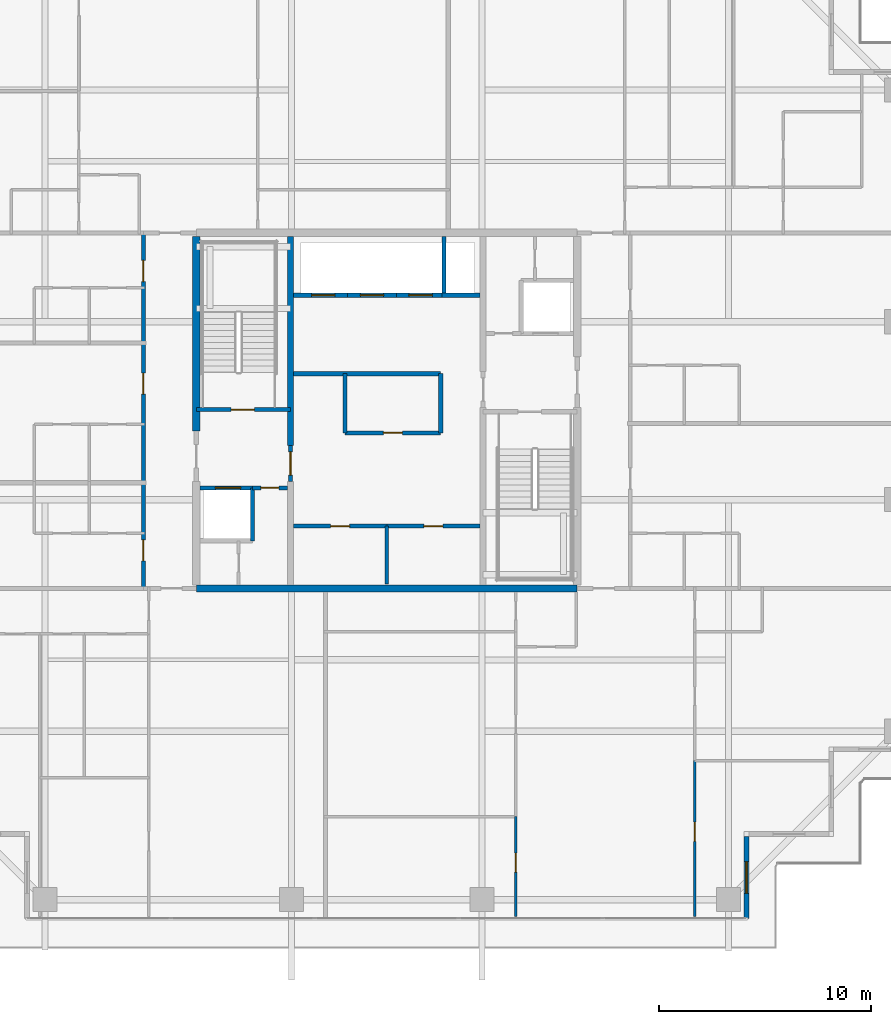
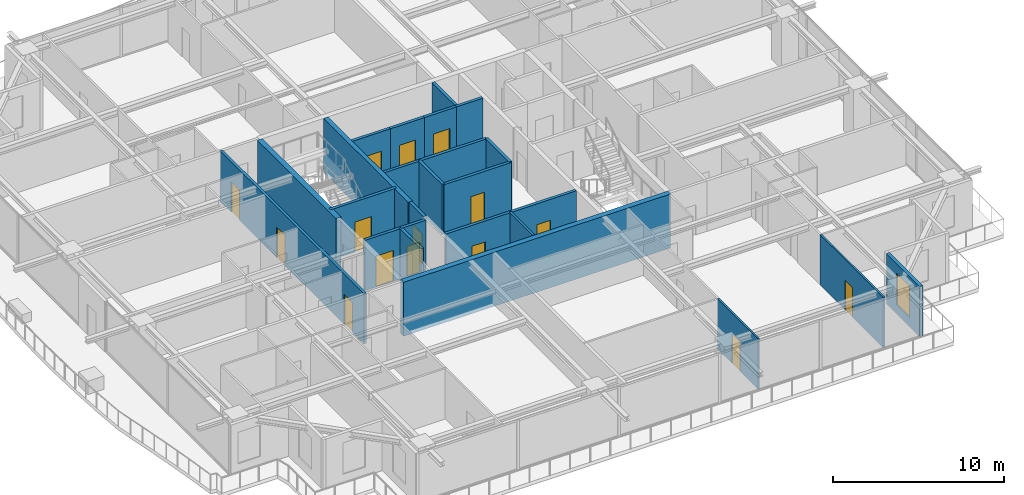
# One storey, part 28 of 38: 24 walls, 15 doors, 1 window, 16 openings.
"""IFC4 building model written with IfcOpenShell, lengths in metres."""

from ifc_helpers import new_model, si_unit, direction, frame, frame_2d, origin, place, context, subcontext, project, spatial, rectangle, extrude, source, transform, mapped, material, layer, layer_set, type_object, element, fill, save


model = new_model("IFC4")

# Units and contexts
model_context = context("Model", 3, precision=1e-05, world=origin(), true_north=direction((0.0, 1.0)))
body_context = subcontext(model_context, "Body", "Model", "MODEL_VIEW")
ifc_project = project(units=[si_unit("LENGTHUNIT", "METRE"), si_unit("AREAUNIT", "SQUARE_METRE"), si_unit("VOLUMEUNIT", "CUBIC_METRE"), si_unit("PLANEANGLEUNIT", "RADIAN"), si_unit("MASSUNIT", "GRAM", prefix="KILO")], contexts=[model_context])

# Site, building, storey
site_placement = place(None, origin())
site = spatial("IfcSite", under=ifc_project, at=site_placement, CompositionType="ELEMENT")
building_placement = place(site_placement, origin())
building = spatial("IfcBuilding", under=site, at=building_placement, Name="Serunith Strait Residences", CompositionType="ELEMENT")
storey_placement = place(building_placement, frame((0.0, 0.0, 237.39990234375)))
storey = spatial("IfcBuildingStorey", under=building, at=storey_placement, Name="L59", CompositionType="ELEMENT", Elevation=237.39990234375)

# Wall, opening, window
ifc_material_1 = material(Name="Pale-Champagne Aluminium Insulated Panel", Category="aluminium")
ifc_layer_1 = layer(ifc_material_1, 0.219970703125, Name="Pale-Champagne Aluminium Insulated Panel")
ifc_layer_set_1 = layer_set([ifc_layer_1], Name="Pale-Champagne Aluminium Insulated Panel")
wall_type_1 = type_object("IfcWallType", Name="EW-ALUM-220", PredefinedType="ELEMENTEDWALL", material=ifc_layer_set_1)
wall_1_placement = place(storey_placement, frame((49.39990234375, 1.199951171875, 0.0), z_axis=(0.0, 0.0, 1.0), x_axis=(0.0, 1.0, 0.0)))
wall_1 = element("IfcWall", 1, at=wall_1_placement, inside=storey, type_object=wall_type_1, Name="L59 Girih Serrated Corner Wall 02", PredefinedType="ELEMENTEDWALL", context=body_context, shape_type="SweptSolid", body=[
    extrude(rectangle(XDim=3.89013671875, YDim=0.219970703125, at=frame_2d((1.945068359375, 0.0))), origin(), (0.0, 0.0, 1.0), 3.5751953125),
])
opening_1_placement = place(wall_1_placement, frame((1.195068359375, 0.0, 0.64990234375)))
opening_1 = element("IfcOpeningElement", 2, at=opening_1_placement, cuts=wall_1, Name="Opening W-05", PredefinedType="OPENING", context=body_context, shape_type="SweptSolid", body=[
    extrude(rectangle(XDim=1.5, YDim=2.25, at=frame_2d((0.75, 1.125))), frame((0.0, 0.1201171875, 0.0), z_axis=(0.0, -1.0, 0.0), x_axis=(1.0, 0.0, 0.0)), (0.0, 0.0, 1.0), 0.239990234375),
])
ifc_material_2 = material(Name="Ceramic-Fritted Operable Aluminium Window Glass", Category="aluminium")
window_type = type_object("IfcWindowType", Name="WIN-C5", PartitioningType="DOUBLE_PANEL_VERTICAL", PredefinedType="WINDOW", material=ifc_material_2)
shared_shape_1 = source(origin(), body_context, "Body", "SweptSolid", [
    extrude(rectangle(XDim=1.5, YDim=2.25, at=frame_2d((0.75, 1.125))), frame((0.0, 0.030029296875, 0.0), z_axis=(0.0, -1.0, 0.0), x_axis=(1.0, 0.0, 0.0)), (0.0, 0.0, 1.0), 0.06005859375),
])
window_placement = place(opening_1_placement, origin())
window = element("IfcWindow", 3, at=window_placement, inside=storey, type_object=window_type, Name="L59 Corner Operable Fritted Window 02", OverallHeight=2.25, OverallWidth=1.5, PartitioningType="SINGLE_PANEL", PredefinedType="WINDOW", context=body_context, shape_type="MappedRepresentation", body=[
    mapped(shared_shape_1, transform((0.0, 0.0, 0.0), scale=1.0)),
])
fill(opening_1, window)

# Wall
ifc_material_3 = material(Name="Fire-rated masonry service closet wall", Category="masonry")
ifc_layer_2 = layer(ifc_material_3, 0.14990234375, Name="Fire-rated masonry service closet wall")
ifc_layer_set_2 = layer_set([ifc_layer_2], Name="Fire-rated masonry service closet wall")
wall_type_2 = type_object("IfcWallType", Name="IW-BOH-150", PredefinedType="PARTITIONING", material=ifc_layer_set_2)
wall_2_placement = place(storey_placement, frame((32.39990234375, 17.02001953125, 0.0), z_axis=(0.0, 0.0, 1.0), x_axis=(0.0, 1.0, 0.0)))
element("IfcWall", 4, at=wall_2_placement, inside=storey, type_object=wall_type_2, Name="L59 Partition Wall 015", PredefinedType="PARTITIONING", context=body_context, shape_type="SweptSolid", body=[
    extrude(rectangle(XDim=2.72998046875, YDim=0.14990234375, at=frame_2d((1.364990234375, 0.0))), origin(), (0.0, 0.0, 1.0), 3.590087890625),
])

# Wall, openings, doors
ifc_material_4 = material(Name="Fire-rated acoustic gypsum partition")
ifc_layer_3 = layer(ifc_material_4, 0.179931640625, Name="Fire-rated acoustic gypsum partition")
ifc_layer_set_3 = layer_set([ifc_layer_3], Name="Fire-rated acoustic gypsum partition")
wall_type_3 = type_object("IfcWallType", Name="IW-CORR-180", PredefinedType="PARTITIONING", material=ifc_layer_set_3)
wall_3_placement = place(storey_placement, frame((20.89990234375, 16.800048828125, 0.0), z_axis=(0.0, 0.0, 1.0), x_axis=(0.0, 1.0, 0.0)))
wall_3 = element("IfcWall", 5, at=wall_3_placement, inside=storey, type_object=wall_type_3, Name="L59 Partition Wall 031", PredefinedType="PARTITIONING", context=body_context, shape_type="SweptSolid", body=[
    extrude(rectangle(XDim=16.800048828125, YDim=0.179931640625, at=frame_2d((8.39990234375, 0.0))), origin(), (0.0, 0.0, 1.0), 3.590087890625),
])
opening_2_placement = place(wall_3_placement, frame((1.300048828125, 0.0, 0.0)))
opening_2 = element("IfcOpeningElement", 6, at=opening_2_placement, cuts=wall_3, Name="Opening D-APT1000", PredefinedType="OPENING", context=body_context, shape_type="SweptSolid", body=[
    extrude(rectangle(XDim=1.0, YDim=2.14990234375, at=frame_2d((0.5, 1.074951171875))), frame((0.0, 0.10009765625, 0.0), z_axis=(0.0, -1.0, 0.0), x_axis=(1.0, 0.0, 0.0)), (0.0, 0.0, 1.0), 0.199951171875),
])
opening_3_placement = place(wall_3_placement, frame((9.179931640625, 0.0, 0.0)))
opening_3 = element("IfcOpeningElement", 7, at=opening_3_placement, cuts=wall_3, Name="Opening D-APT1000", PredefinedType="OPENING", context=body_context, shape_type="SweptSolid", body=[
    extrude(rectangle(XDim=1.0, YDim=2.14990234375, at=frame_2d((0.5, 1.074951171875))), frame((0.0, 0.10009765625, 0.0), z_axis=(0.0, -1.0, 0.0), x_axis=(1.0, 0.0, 0.0)), (0.0, 0.0, 1.0), 0.199951171875),
])
opening_4_placement = place(wall_3_placement, frame((14.5, 0.0, 0.0)))
opening_4 = element("IfcOpeningElement", 8, at=opening_4_placement, cuts=wall_3, Name="Opening D-APT1000", PredefinedType="OPENING", context=body_context, shape_type="SweptSolid", body=[
    extrude(rectangle(XDim=1.0, YDim=2.14990234375, at=frame_2d((0.5, 1.074951171875))), frame((0.0, 0.10009765625, 0.0), z_axis=(0.0, -1.0, 0.0), x_axis=(1.0, 0.0, 0.0)), (0.0, 0.0, 1.0), 0.199951171875),
])
ifc_material_5 = material(Name="Solid timber engineered fire door", Category="wood")
door_type_1 = type_object("IfcDoorType", Name="ID-APT-1000", OperationType="NOTDEFINED", PredefinedType="DOOR", material=ifc_material_5)
shared_shape_2 = source(origin(), body_context, "Body", "SweptSolid", [
    extrude(rectangle(XDim=1.0, YDim=2.14990234375, at=frame_2d((0.5, 1.074951171875))), frame((0.0, 0.02490234375, 0.0), z_axis=(0.0, -1.0, 0.0), x_axis=(1.0, 0.0, 0.0)), (0.0, 0.0, 1.0), 0.050048828125),
])
door_1_placement = place(opening_2_placement, origin())
door_1 = element("IfcDoor", 9, at=door_1_placement, inside=storey, type_object=door_type_1, Name="L59 Unit 05 Entrance Door", OperationType="SINGLE_SWING_RIGHT", OverallHeight=2.14990234375, OverallWidth=1.0, PredefinedType="DOOR", context=body_context, shape_type="MappedRepresentation", body=[
    mapped(shared_shape_2, transform((0.0, 0.0, 0.0), scale=1.0)),
])
fill(opening_2, door_1)
door_2_placement = place(opening_3_placement, origin())
door_2 = element("IfcDoor", 10, at=door_2_placement, inside=storey, type_object=door_type_1, Name="L59 Unit 06 Entrance Door", OperationType="SINGLE_SWING_LEFT", OverallHeight=2.14990234375, OverallWidth=1.0, PredefinedType="DOOR", context=body_context, shape_type="MappedRepresentation", body=[
    mapped(shared_shape_2, transform((0.0, 0.0, 0.0), scale=1.0)),
])
fill(opening_3, door_2)
door_3_placement = place(opening_4_placement, origin())
door_3 = element("IfcDoor", 11, at=door_3_placement, inside=storey, type_object=door_type_1, Name="L59 Unit 07 Entrance Door", OperationType="SINGLE_SWING_RIGHT", OverallHeight=2.14990234375, OverallWidth=1.0, PredefinedType="DOOR", context=body_context, shape_type="MappedRepresentation", body=[
    mapped(shared_shape_2, transform((0.0, 0.0, 0.0), scale=1.0)),
])
fill(opening_4, door_3)

# Wall, opening, door
ifc_material_6 = material(Name="Lightweight steel-stud gypsum partition", Category="steel")
ifc_layer_4 = layer(ifc_material_6, 0.1201171875, Name="Lightweight steel-stud gypsum partition")
ifc_layer_set_4 = layer_set([ifc_layer_4], Name="Lightweight steel-stud gypsum partition")
wall_type_4 = type_object("IfcWallType", Name="IW-PART-120", PredefinedType="PARTITIONING", material=ifc_layer_set_4)
wall_4_placement = place(storey_placement, frame((38.5, 1.294921875, 0.0), z_axis=(0.0, 0.0, 1.0), x_axis=(0.0, 1.0, 0.0)))
wall_4 = element("IfcWall", 12, at=wall_4_placement, inside=storey, type_object=wall_type_4, Name="L59 Partition Wall 051", PredefinedType="PARTITIONING", context=body_context, shape_type="SweptSolid", body=[
    extrude(rectangle(XDim=4.72705078125, YDim=0.1201171875, at=frame_2d((2.363525390625, 0.0))), origin(), (0.0, 0.0, 1.0), 3.590087890625),
])
opening_5_placement = place(wall_4_placement, frame((2.10498046875, 0.0, 0.0)))
opening_5 = element("IfcOpeningElement", 13, at=opening_5_placement, cuts=wall_4, Name="Opening D-RM900", PredefinedType="OPENING", context=body_context, shape_type="SweptSolid", body=[
    extrude(rectangle(XDim=0.89990234375, YDim=2.10009765625, at=frame_2d((0.449951171875, 1.050048828125))), frame((0.0, 0.070068359375, 0.0), z_axis=(0.0, -1.0, 0.0), x_axis=(1.0, 0.0, 0.0)), (0.0, 0.0, 1.0), 0.14013671875),
])
ifc_material_7 = material(Name="Engineered timber flush bedroom door", Category="wood")
door_type_2 = type_object("IfcDoorType", Name="ID-ROOM-900", OperationType="NOTDEFINED", PredefinedType="DOOR", material=ifc_material_7)
shared_shape_3 = source(origin(), body_context, "Body", "SweptSolid", [
    extrude(rectangle(XDim=0.89990234375, YDim=2.10009765625, at=frame_2d((0.449951171875, 1.050048828125))), frame((0.0, 0.02490234375, 0.0), z_axis=(0.0, -1.0, 0.0), x_axis=(1.0, 0.0, 0.0)), (0.0, 0.0, 1.0), 0.050048828125),
])
door_4_placement = place(opening_5_placement, origin())
door_4 = element("IfcDoor", 14, at=door_4_placement, inside=storey, type_object=door_type_2, Name="L59 Master Bedroom 1 5902 Door", OperationType="SINGLE_SWING_LEFT", OverallHeight=2.10009765625, OverallWidth=0.89990234375, PredefinedType="DOOR", context=body_context, shape_type="MappedRepresentation", body=[
    mapped(shared_shape_3, transform((0.0, 0.0, 0.0), scale=1.0)),
])
fill(opening_5, door_4)

wall_5_placement = place(storey_placement, frame((46.949951171875, 1.294921875, 0.0), z_axis=(0.0, 0.0, 1.0), x_axis=(0.0, 1.0, 0.0)))
wall_5 = element("IfcWall", 15, at=wall_5_placement, inside=storey, type_object=wall_type_4, Name="L59 Partition Wall 056", PredefinedType="PARTITIONING", context=body_context, shape_type="SweptSolid", body=[
    extrude(rectangle(XDim=7.373046875, YDim=0.1201171875, at=frame_2d((3.6865234375, 0.0))), origin(), (0.0, 0.0, 1.0), 3.590087890625),
])
opening_6_placement = place(wall_5_placement, frame((3.56005859375, 0.0, 0.0)))
opening_6 = element("IfcOpeningElement", 16, at=opening_6_placement, cuts=wall_5, Name="Opening D-RM900", PredefinedType="OPENING", context=body_context, shape_type="SweptSolid", body=[
    extrude(rectangle(XDim=0.89990234375, YDim=2.10009765625, at=frame_2d((0.449951171875, 1.050048828125))), frame((0.0, 0.070068359375, 0.0), z_axis=(0.0, -1.0, 0.0), x_axis=(1.0, 0.0, 0.0)), (0.0, 0.0, 1.0), 0.14013671875),
])
door_5_placement = place(opening_6_placement, origin())
door_5 = element("IfcDoor", 17, at=door_5_placement, inside=storey, type_object=door_type_2, Name="L59 Bedroom 2 5902 Door", OperationType="SINGLE_SWING_RIGHT", OverallHeight=2.10009765625, OverallWidth=0.89990234375, PredefinedType="DOOR", context=body_context, shape_type="MappedRepresentation", body=[
    mapped(shared_shape_3, transform((0.0, 0.0, 0.0), scale=1.0)),
])
fill(opening_6, door_5)

ifc_material_8 = material(Name="Autoclaved aerated concrete blockwork", Category="masonry")
ifc_layer_5 = layer(ifc_material_8, 0.199951171875, Name="Autoclaved aerated concrete blockwork")
ifc_layer_set_5 = layer_set([ifc_layer_5], Name="Autoclaved aerated concrete blockwork")
wall_type_5 = type_object("IfcWallType", Name="IW-SHAFT-200", PredefinedType="STANDARD", material=ifc_layer_set_5)
wall_6_placement = place(storey_placement, frame((23.39990234375, 25.25, 0.0), z_axis=(0.0, 0.0, 1.0), x_axis=(1.0, 0.0, 0.0)))
wall_6 = element("IfcWall", 18, at=wall_6_placement, inside=storey, type_object=wall_type_5, Name="L59 ST-1 South Shaft Wall", PredefinedType="STANDARD", context=body_context, shape_type="SweptSolid", body=[
    extrude(rectangle(XDim=4.4501953125, YDim=0.199951171875, at=frame_2d((2.22509765625, 0.0))), origin(), (0.0, 0.0, 1.0), 3.590087890625),
])
opening_7_placement = place(wall_6_placement, frame((1.64990234375, 0.0, 0.0)))
opening_7 = element("IfcOpeningElement", 19, at=opening_7_placement, cuts=wall_6, Name="Opening FD-1100", PredefinedType="OPENING", context=body_context, shape_type="SweptSolid", body=[
    extrude(rectangle(XDim=1.10009765625, YDim=2.14990234375, at=frame_2d((0.550048828125, 1.074951171875))), frame((0.0, 0.10986328125, 0.0), z_axis=(0.0, -1.0, 0.0), x_axis=(1.0, 0.0, 0.0)), (0.0, 0.0, 1.0), 0.219970703125),
])
ifc_material_9 = material(Name="Galvanised steel fire door leaf", Category="steel")
door_type_3 = type_object("IfcDoorType", Name="FD-STAIR-1100", OperationType="NOTDEFINED", PredefinedType="DOOR", material=ifc_material_9)
shared_shape_4 = source(origin(), body_context, "Body", "SweptSolid", [
    extrude(rectangle(XDim=1.10009765625, YDim=2.14990234375, at=frame_2d((0.550048828125, 1.074951171875))), frame((0.0, 0.02490234375, 0.0), z_axis=(0.0, -1.0, 0.0), x_axis=(1.0, 0.0, 0.0)), (0.0, 0.0, 1.0), 0.050048828125),
])
door_6_placement = place(opening_7_placement, origin())
door_6 = element("IfcDoor", 20, at=door_6_placement, inside=storey, type_object=door_type_3, Name="L59 ST-1 Escape Stair Door", OperationType="SINGLE_SWING_LEFT", OverallHeight=2.14990234375, OverallWidth=1.10009765625, PredefinedType="DOOR", context=body_context, shape_type="MappedRepresentation", body=[
    mapped(shared_shape_4, transform((0.0, 0.0, 0.0), scale=1.0)),
])
fill(opening_7, door_6)

wall_7_placement = place(storey_placement, frame((23.574951171875, 21.550048828125, 0.0), z_axis=(0.0, 0.0, 1.0), x_axis=(1.0, 0.0, 0.0)))
wall_7 = element("IfcWall", 21, at=wall_7_placement, inside=storey, type_object=wall_type_5, Name="L59 FL-1 North Shaft Wall", PredefinedType="STANDARD", context=body_context, shape_type="SweptSolid", body=[
    extrude(rectangle(XDim=2.47509765625, YDim=0.199951171875, at=frame_2d((1.237548828125, 0.0))), origin(), (0.0, 0.0, 1.0), 3.590087890625),
])
opening_8_placement = place(wall_7_placement, frame((0.72509765625, 0.0, 0.0)))
opening_8 = element("IfcOpeningElement", 22, at=opening_8_placement, cuts=wall_7, Name="Opening LD-FF1200", PredefinedType="OPENING", context=body_context, shape_type="SweptSolid", body=[
    extrude(rectangle(XDim=1.199951171875, YDim=2.199951171875, at=frame_2d((0.60009765625, 1.10009765625))), frame((0.0, 0.10986328125, 0.0), z_axis=(0.0, -1.0, 0.0), x_axis=(1.0, 0.0, 0.0)), (0.0, 0.0, 1.0), 0.219970703125),
])
ifc_material_10 = material(Name="Brushed stainless steel landing door", Category="steel")
door_type_4 = type_object("IfcDoorType", Name="LD-FF-1200", OperationType="DOUBLE_DOOR_SLIDING", PredefinedType="DOOR", material=ifc_material_10)
shared_shape_5 = source(origin(), body_context, "Body", "SweptSolid", [
    extrude(rectangle(XDim=1.199951171875, YDim=2.199951171875, at=frame_2d((0.60009765625, 1.10009765625))), frame((0.0, 0.02490234375, 0.0), z_axis=(0.0, -1.0, 0.0), x_axis=(1.0, 0.0, 0.0)), (0.0, 0.0, 1.0), 0.050048828125),
])
door_7_placement = place(opening_8_placement, origin())
door_7 = element("IfcDoor", 23, at=door_7_placement, inside=storey, type_object=door_type_4, Name="L59 FL-1 Landing Door", OperationType="DOUBLE_DOOR_SLIDING", OverallHeight=2.199951171875, OverallWidth=1.199951171875, PredefinedType="DOOR", context=body_context, shape_type="MappedRepresentation", body=[
    mapped(shared_shape_5, transform((0.0, 0.0, 0.0), scale=1.0)),
])
fill(opening_8, door_7)

wall_8_placement = place(storey_placement, frame((28.0, 30.64990234375, 0.0), z_axis=(0.0, 0.0, 1.0), x_axis=(1.0, 0.0, 0.0)))
wall_8 = element("IfcWall", 24, at=wall_8_placement, inside=storey, type_object=wall_type_5, Name="L59 PL-7 South Shaft Wall", PredefinedType="STANDARD", context=body_context, shape_type="SweptSolid", body=[
    extrude(rectangle(XDim=2.550048828125, YDim=0.199951171875, at=frame_2d((1.27490234375, 0.0))), origin(), (0.0, 0.0, 1.0), 3.590087890625),
])
opening_9_placement = place(wall_8_placement, frame((0.85009765625, 0.0, 0.0)))
opening_9 = element("IfcOpeningElement", 25, at=opening_9_placement, cuts=wall_8, Name="Opening LD-1100", PredefinedType="OPENING", context=body_context, shape_type="SweptSolid", body=[
    extrude(rectangle(XDim=1.10009765625, YDim=2.199951171875, at=frame_2d((0.550048828125, 1.10009765625))), frame((0.0, 0.10986328125, 0.0), z_axis=(0.0, -1.0, 0.0), x_axis=(1.0, 0.0, 0.0)), (0.0, 0.0, 1.0), 0.219970703125),
])
ifc_material_11 = material(Name="Pale-champagne stainless landing door")
door_type_5 = type_object("IfcDoorType", Name="LD-LIFT-1100", OperationType="DOUBLE_DOOR_SLIDING", PredefinedType="DOOR", material=ifc_material_11)
shared_shape_6 = source(origin(), body_context, "Body", "SweptSolid", [
    extrude(rectangle(XDim=1.10009765625, YDim=2.199951171875, at=frame_2d((0.550048828125, 1.10009765625))), frame((0.0, 0.02490234375, 0.0), z_axis=(0.0, -1.0, 0.0), x_axis=(1.0, 0.0, 0.0)), (0.0, 0.0, 1.0), 0.050048828125),
])
door_8_placement = place(opening_9_placement, origin())
door_8 = element("IfcDoor", 26, at=door_8_placement, inside=storey, type_object=door_type_5, Name="L59 PL-7 Landing Door", OperationType="DOUBLE_DOOR_SLIDING", OverallHeight=2.199951171875, OverallWidth=1.10009765625, PredefinedType="DOOR", context=body_context, shape_type="MappedRepresentation", body=[
    mapped(shared_shape_6, transform((0.0, 0.0, 0.0), scale=1.0)),
])
fill(opening_9, door_8)

wall_9_placement = place(storey_placement, frame((30.550048828125, 30.64990234375, 0.0), z_axis=(0.0, 0.0, 1.0), x_axis=(1.0, 0.0, 0.0)))
wall_9 = element("IfcWall", 27, at=wall_9_placement, inside=storey, type_object=wall_type_5, Name="L59 PL-8 South Shaft Wall", PredefinedType="STANDARD", context=body_context, shape_type="SweptSolid", body=[
    extrude(rectangle(XDim=2.300048828125, YDim=0.199951171875, at=frame_2d((1.14990234375, 0.0))), origin(), (0.0, 0.0, 1.0), 3.590087890625),
])
opening_10_placement = place(wall_9_placement, frame((0.60009765625, 0.0, 0.0)))
opening_10 = element("IfcOpeningElement", 28, at=opening_10_placement, cuts=wall_9, Name="Opening LD-1100", PredefinedType="OPENING", context=body_context, shape_type="SweptSolid", body=[
    extrude(rectangle(XDim=1.10009765625, YDim=2.199951171875, at=frame_2d((0.550048828125, 1.10009765625))), frame((0.0, 0.10986328125, 0.0), z_axis=(0.0, -1.0, 0.0), x_axis=(1.0, 0.0, 0.0)), (0.0, 0.0, 1.0), 0.219970703125),
])
door_9_placement = place(opening_10_placement, origin())
door_9 = element("IfcDoor", 29, at=door_9_placement, inside=storey, type_object=door_type_5, Name="L59 PL-8 Landing Door", OperationType="DOUBLE_DOOR_SLIDING", OverallHeight=2.199951171875, OverallWidth=1.10009765625, PredefinedType="DOOR", context=body_context, shape_type="MappedRepresentation", body=[
    mapped(shared_shape_6, transform((0.0, 0.0, 0.0), scale=1.0)),
])
fill(opening_10, door_9)

wall_10_placement = place(storey_placement, frame((32.85009765625, 30.64990234375, 0.0), z_axis=(0.0, 0.0, 1.0), x_axis=(1.0, 0.0, 0.0)))
wall_10 = element("IfcWall", 30, at=wall_10_placement, inside=storey, type_object=wall_type_5, Name="L59 PL-9 South Shaft Wall", PredefinedType="STANDARD", context=body_context, shape_type="SweptSolid", body=[
    extrude(rectangle(XDim=2.14990234375, YDim=0.199951171875, at=frame_2d((1.074951171875, 0.0))), origin(), (0.0, 0.0, 1.0), 3.590087890625),
])
opening_11_placement = place(wall_10_placement, frame((0.60009765625, 0.0, 0.0)))
opening_11 = element("IfcOpeningElement", 31, at=opening_11_placement, cuts=wall_10, Name="Opening LD-1100", PredefinedType="OPENING", context=body_context, shape_type="SweptSolid", body=[
    extrude(rectangle(XDim=1.10009765625, YDim=2.199951171875, at=frame_2d((0.550048828125, 1.10009765625))), frame((0.0, 0.10986328125, 0.0), z_axis=(0.0, -1.0, 0.0), x_axis=(1.0, 0.0, 0.0)), (0.0, 0.0, 1.0), 0.219970703125),
])
door_10_placement = place(opening_11_placement, origin())
door_10 = element("IfcDoor", 32, at=door_10_placement, inside=storey, type_object=door_type_5, Name="L59 PL-9 Landing Door", OperationType="DOUBLE_DOOR_SLIDING", OverallHeight=2.199951171875, OverallWidth=1.10009765625, PredefinedType="DOOR", context=body_context, shape_type="MappedRepresentation", body=[
    mapped(shared_shape_6, transform((0.0, 0.0, 0.0), scale=1.0)),
])
fill(opening_11, door_10)

# Walls
wall_11_placement = place(storey_placement, frame((35.0, 30.64990234375, 0.0), z_axis=(0.0, 0.0, 1.0), x_axis=(1.0, 0.0, 0.0)))
element("IfcWall", 33, at=wall_11_placement, inside=storey, type_object=wall_type_5, Name="L59 SL-1 South Shaft Wall", PredefinedType="STANDARD", context=body_context, shape_type="SweptSolid", body=[
    extrude(rectangle(XDim=1.800048828125, YDim=0.199951171875, at=frame_2d((0.89990234375, 0.0))), origin(), (0.0, 0.0, 1.0), 3.590087890625),
])
wall_12_placement = place(storey_placement, frame((35.10009765625, 30.75, 0.0), z_axis=(0.0, 0.0, 1.0), x_axis=(0.0, 1.0, 0.0)))
element("IfcWall", 34, at=wall_12_placement, inside=storey, type_object=wall_type_5, Name="L59 SL-1 West Shaft Wall", PredefinedType="STANDARD", context=body_context, shape_type="SweptSolid", body=[
    extrude(rectangle(XDim=2.675048828125, YDim=0.199951171875, at=frame_2d((1.33740234375, 0.0))), origin(), (0.0, 0.0, 1.0), 3.590087890625),
])
wall_13_placement = place(storey_placement, frame((26.050048828125, 19.050048828125, 0.0), z_axis=(0.0, 0.0, 1.0), x_axis=(0.0, 1.0, 0.0)))
element("IfcWall", 35, at=wall_13_placement, inside=storey, type_object=wall_type_5, Name="L59 Partition Wall 001", PredefinedType="STANDARD", context=body_context, shape_type="SweptSolid", body=[
    extrude(rectangle(XDim=2.5, YDim=0.199951171875, at=frame_2d((1.25, 0.0))), origin(), (0.0, 0.0, 1.0), 3.590087890625),
])

# Wall, opening, door
wall_14_placement = place(storey_placement, frame((26.052001953125, 21.550048828125, 0.0), z_axis=(0.0, 0.0, 1.0), x_axis=(1.0, 0.0, 0.0)))
wall_14 = element("IfcWall", 36, at=wall_14_placement, inside=storey, type_object=wall_type_5, Name="L59 Partition Wall 003", PredefinedType="STANDARD", context=body_context, shape_type="SweptSolid", body=[
    extrude(rectangle(XDim=1.64794921875, YDim=0.199951171875, at=frame_2d((0.823974609375, 0.0))), origin(), (0.0, 0.0, 1.0), 3.590087890625),
])
opening_12_placement = place(wall_14_placement, frame((0.39892578125, 0.0, 0.0)))
opening_12 = element("IfcOpeningElement", 37, at=opening_12_placement, cuts=wall_14, Name="Opening FD-850", PredefinedType="OPENING", context=body_context, shape_type="SweptSolid", body=[
    extrude(rectangle(XDim=0.85009765625, YDim=2.10009765625, at=frame_2d((0.425048828125, 1.050048828125))), frame((0.0, 0.10986328125, 0.0), z_axis=(0.0, -1.0, 0.0), x_axis=(1.0, 0.0, 0.0)), (0.0, 0.0, 1.0), 0.219970703125),
])
ifc_material_12 = material(Name="Powder-coated steel service closet door", Category="steel")
door_type_6 = type_object("IfcDoorType", Name="FD-BOH-850", OperationType="NOTDEFINED", PredefinedType="DOOR", material=ifc_material_12)
shared_shape_7 = source(origin(), body_context, "Body", "SweptSolid", [
    extrude(rectangle(XDim=0.85009765625, YDim=2.10009765625, at=frame_2d((0.425048828125, 1.050048828125))), frame((0.0, 0.02490234375, 0.0), z_axis=(0.0, -1.0, 0.0), x_axis=(1.0, 0.0, 0.0)), (0.0, 0.0, 1.0), 0.050048828125),
])
door_11_placement = place(opening_12_placement, origin())
door_11 = element("IfcDoor", 38, at=door_11_placement, inside=storey, type_object=door_type_6, Name="L59 South-West Core Service Door", OperationType="SINGLE_SWING_LEFT", OverallHeight=2.10009765625, OverallWidth=0.85009765625, PredefinedType="DOOR", context=body_context, shape_type="MappedRepresentation", body=[
    mapped(shared_shape_7, transform((0.0, 0.0, 0.0), scale=1.0)),
])
fill(opening_12, door_11)

wall_15_placement = place(storey_placement, frame((27.85009765625, 21.85205078125, 0.0), z_axis=(0.0, 0.0, 1.0), x_axis=(0.0, 1.0, 0.0)))
wall_15 = element("IfcWall", 39, at=wall_15_placement, inside=storey, type_object=wall_type_5, Name="L59 Partition Wall 009", PredefinedType="STANDARD", context=body_context, shape_type="SweptSolid", body=[
    extrude(rectangle(XDim=1.696044921875, YDim=0.199951171875, at=frame_2d((0.84814453125, 0.0))), origin(), (0.0, 0.0, 1.0), 3.590087890625),
])
opening_13_placement = place(wall_15_placement, frame((0.298095703125, 0.0, 0.0)))
opening_13 = element("IfcOpeningElement", 40, at=opening_13_placement, cuts=wall_15, Name="Opening FD-FFL", PredefinedType="OPENING", context=body_context, shape_type="SweptSolid", body=[
    extrude(rectangle(XDim=1.10009765625, YDim=2.14990234375, at=frame_2d((0.550048828125, 1.074951171875))), frame((0.0, 0.10986328125, 0.0), z_axis=(0.0, -1.0, 0.0), x_axis=(1.0, 0.0, 0.0)), (0.0, 0.0, 1.0), 0.219970703125),
])
ifc_material_13 = material(Name="Glazed steel smoke-lobby fire door", Category="steel")
door_type_7 = type_object("IfcDoorType", Name="FD-FFL-1100", OperationType="NOTDEFINED", PredefinedType="DOOR", material=ifc_material_13)
door_12_placement = place(opening_13_placement, origin())
door_12 = element("IfcDoor", 41, at=door_12_placement, inside=storey, type_object=door_type_7, Name="L59 FFL-1 Lift Lobby Door", OperationType="SINGLE_SWING_LEFT", OverallHeight=2.14990234375, OverallWidth=1.10009765625, PredefinedType="DOOR", context=body_context, shape_type="MappedRepresentation", body=[
    mapped(shared_shape_4, transform((0.0, 0.0, 0.0), scale=1.0)),
])
fill(opening_13, door_12)

wall_16_placement = place(storey_placement, frame((28.0, 19.75, 0.0), z_axis=(0.0, 0.0, 1.0), x_axis=(1.0, 0.0, 0.0)))
wall_16 = element("IfcWall", 42, at=wall_16_placement, inside=storey, type_object=wall_type_5, Name="L59 Partition Wall 013", PredefinedType="STANDARD", context=body_context, shape_type="SweptSolid", body=[
    extrude(rectangle(XDim=4.39990234375, YDim=0.199951171875, at=frame_2d((2.199951171875, 0.0))), origin(), (0.0, 0.0, 1.0), 3.590087890625),
])
opening_14_placement = place(wall_16_placement, frame((1.75, 0.0, 0.0)))
opening_14 = element("IfcOpeningElement", 43, at=opening_14_placement, cuts=wall_16, Name="Opening FD-900", PredefinedType="OPENING", context=body_context, shape_type="SweptSolid", body=[
    extrude(rectangle(XDim=0.89990234375, YDim=2.10009765625, at=frame_2d((0.449951171875, 1.050048828125))), frame((0.0, 0.10986328125, 0.0), z_axis=(0.0, -1.0, 0.0), x_axis=(1.0, 0.0, 0.0)), (0.0, 0.0, 1.0), 0.219970703125),
])
ifc_material_14 = material(Name="Powder-coated steel riser door", Category="steel")
door_type_8 = type_object("IfcDoorType", Name="FD-BOH-900", OperationType="NOTDEFINED", PredefinedType="DOOR", material=ifc_material_14)
door_13_placement = place(opening_14_placement, origin())
door_13 = element("IfcDoor", 44, at=door_13_placement, inside=storey, type_object=door_type_8, Name="L59 Fan-Coil Plant Door", OperationType="SINGLE_SWING_LEFT", OverallHeight=2.10009765625, OverallWidth=0.89990234375, PredefinedType="DOOR", context=body_context, shape_type="MappedRepresentation", body=[
    mapped(shared_shape_3, transform((0.0, 0.0, 0.0), scale=1.0)),
])
fill(opening_14, door_13)

wall_17_placement = place(storey_placement, frame((32.402099609375, 19.75, 0.0), z_axis=(0.0, 0.0, 1.0), x_axis=(1.0, 0.0, 0.0)))
wall_17 = element("IfcWall", 45, at=wall_17_placement, inside=storey, type_object=wall_type_5, Name="L59 Partition Wall 014", PredefinedType="STANDARD", context=body_context, shape_type="SweptSolid", body=[
    extrude(rectangle(XDim=4.39794921875, YDim=0.199951171875, at=frame_2d((2.198974609375, 0.0))), origin(), (0.0, 0.0, 1.0), 3.590087890625),
])
opening_15_placement = place(wall_17_placement, frame((1.7490234375, 0.0, 0.0)))
opening_15 = element("IfcOpeningElement", 46, at=opening_15_placement, cuts=wall_17, Name="Opening FD-900", PredefinedType="OPENING", context=body_context, shape_type="SweptSolid", body=[
    extrude(rectangle(XDim=0.89990234375, YDim=2.10009765625, at=frame_2d((0.449951171875, 1.050048828125))), frame((0.0, 0.10986328125, 0.0), z_axis=(0.0, -1.0, 0.0), x_axis=(1.0, 0.0, 0.0)), (0.0, 0.0, 1.0), 0.219970703125),
])
door_14_placement = place(opening_15_placement, origin())
door_14 = element("IfcDoor", 47, at=door_14_placement, inside=storey, type_object=door_type_8, Name="L59 Battery UPS Plant Door", OperationType="SINGLE_SWING_RIGHT", OverallHeight=2.10009765625, OverallWidth=0.89990234375, PredefinedType="DOOR", context=body_context, shape_type="MappedRepresentation", body=[
    mapped(shared_shape_3, transform((0.0, 0.0, 0.0), scale=1.0)),
])
fill(opening_15, door_14)

# Walls
wall_18_placement = place(storey_placement, frame((28.0, 26.949951171875, 0.0), z_axis=(0.0, 0.0, 1.0), x_axis=(1.0, 0.0, 0.0)))
element("IfcWall", 48, at=wall_18_placement, inside=storey, type_object=wall_type_5, Name="L59 Partition Wall 016", PredefinedType="STANDARD", context=body_context, shape_type="SweptSolid", body=[
    extrude(rectangle(XDim=6.949951171875, YDim=0.199951171875, at=frame_2d((3.47509765625, 0.0))), origin(), (0.0, 0.0, 1.0), 3.590087890625),
])
wall_19_placement = place(storey_placement, frame((34.949951171875, 24.14990234375, 0.0), z_axis=(0.0, 0.0, 1.0), x_axis=(0.0, 1.0, 0.0)))
element("IfcWall", 49, at=wall_19_placement, inside=storey, type_object=wall_type_5, Name="L59 Partition Wall 017", PredefinedType="STANDARD", context=body_context, shape_type="SweptSolid", body=[
    extrude(rectangle(XDim=2.800048828125, YDim=0.199951171875, at=frame_2d((1.39990234375, 0.0))), origin(), (0.0, 0.0, 1.0), 3.590087890625),
])

# Wall, opening, door
wall_20_placement = place(storey_placement, frame((30.419921875, 24.14990234375, 0.0), z_axis=(0.0, 0.0, 1.0), x_axis=(1.0, 0.0, 0.0)))
wall_20 = element("IfcWall", 50, at=wall_20_placement, inside=storey, type_object=wall_type_5, Name="L59 Partition Wall 018", PredefinedType="STANDARD", context=body_context, shape_type="SweptSolid", body=[
    extrude(rectangle(XDim=4.530029296875, YDim=0.199951171875, at=frame_2d((2.26513671875, 0.0))), origin(), (0.0, 0.0, 1.0), 3.590087890625),
])
opening_16_placement = place(wall_20_placement, frame((1.81494140625, 0.0, 0.0)))
opening_16 = element("IfcOpeningElement", 51, at=opening_16_placement, cuts=wall_20, Name="Opening FD-900", PredefinedType="OPENING", context=body_context, shape_type="SweptSolid", body=[
    extrude(rectangle(XDim=0.89990234375, YDim=2.10009765625, at=frame_2d((0.449951171875, 1.050048828125))), frame((0.0, 0.10986328125, 0.0), z_axis=(0.0, -1.0, 0.0), x_axis=(1.0, 0.0, 0.0)), (0.0, 0.0, 1.0), 0.219970703125),
])
door_15_placement = place(opening_16_placement, origin())
door_15 = element("IfcDoor", 52, at=door_15_placement, inside=storey, type_object=door_type_8, Name="L59 Housekeeping Linen Door", OperationType="SINGLE_SWING_LEFT", OverallHeight=2.10009765625, OverallWidth=0.89990234375, PredefinedType="DOOR", context=body_context, shape_type="MappedRepresentation", body=[
    mapped(shared_shape_3, transform((0.0, 0.0, 0.0), scale=1.0)),
])
fill(opening_16, door_15)

# Walls
wall_21_placement = place(storey_placement, frame((30.419921875, 24.14990234375, 0.0), z_axis=(0.0, 0.0, 1.0), x_axis=(0.0, 1.0, 0.0)))
element("IfcWall", 53, at=wall_21_placement, inside=storey, type_object=wall_type_5, Name="L59 Partition Wall 019", PredefinedType="STANDARD", context=body_context, shape_type="SweptSolid", body=[
    extrude(rectangle(XDim=2.800048828125, YDim=0.199951171875, at=frame_2d((1.39990234375, 0.0))), origin(), (0.0, 0.0, 1.0), 3.590087890625),
])
ifc_material_15 = material(Name="Concrete C60/75", Category="concrete")
ifc_layer_6 = layer(ifc_material_15, 0.300048828125, Name="Concrete C60/75")
ifc_layer_set_6 = layer_set([ifc_layer_6], Name="Concrete C60/75")
wall_type_6 = type_object("IfcWallType", Name="SW-300-C60", PredefinedType="SHEAR", material=ifc_layer_set_6)
wall_22_placement = place(storey_placement, frame((27.85009765625, 23.550048828125, -0.260009765625), z_axis=(0.0, 0.0, 1.0), x_axis=(0.0, 1.0, 0.0)))
element("IfcWall", 54, at=wall_22_placement, inside=storey, type_object=wall_type_6, Name="L59 Core Internal West Web North Pier", PredefinedType="SHEAR", context=body_context, shape_type="SweptSolid", body=[
    extrude(rectangle(XDim=9.875, YDim=0.300048828125, at=frame_2d((4.9375, 0.0))), origin(), (0.0, 0.0, 1.0), 3.84814453125),
])
ifc_layer_7 = layer(ifc_material_15, 0.35009765625, Name="Concrete C60/75")
ifc_layer_set_7 = layer_set([ifc_layer_7], Name="Concrete C60/75")
wall_type_7 = type_object("IfcWallType", Name="SW-350-C60", PredefinedType="SHEAR", material=ifc_layer_set_7)
wall_23_placement = place(storey_placement, frame((23.39990234375, 16.800048828125, -0.260009765625), z_axis=(0.0, 0.0, 1.0), x_axis=(1.0, 0.0, 0.0)))
element("IfcWall", 55, at=wall_23_placement, inside=storey, type_object=wall_type_7, Name="L59 Core South Shear Wall", PredefinedType="SHEAR", context=body_context, shape_type="SweptSolid", body=[
    extrude(rectangle(XDim=18.0, YDim=0.35009765625, at=frame_2d((9.0, 0.0))), origin(), (0.0, 0.0, 1.0), 3.84814453125),
])
wall_24_placement = place(storey_placement, frame((23.39990234375, 24.25, -0.260009765625), z_axis=(0.0, 0.0, 1.0), x_axis=(0.0, 1.0, 0.0)))
element("IfcWall", 56, at=wall_24_placement, inside=storey, type_object=wall_type_7, Name="L59 Core West Shear Wall North Pier", PredefinedType="SHEAR", context=body_context, shape_type="SweptSolid", body=[
    extrude(rectangle(XDim=9.175048828125, YDim=0.35009765625, at=frame_2d((4.58740234375, 0.0))), origin(), (0.0, 0.0, 1.0), 3.84814453125),
])

save(model, "model.ifc")
